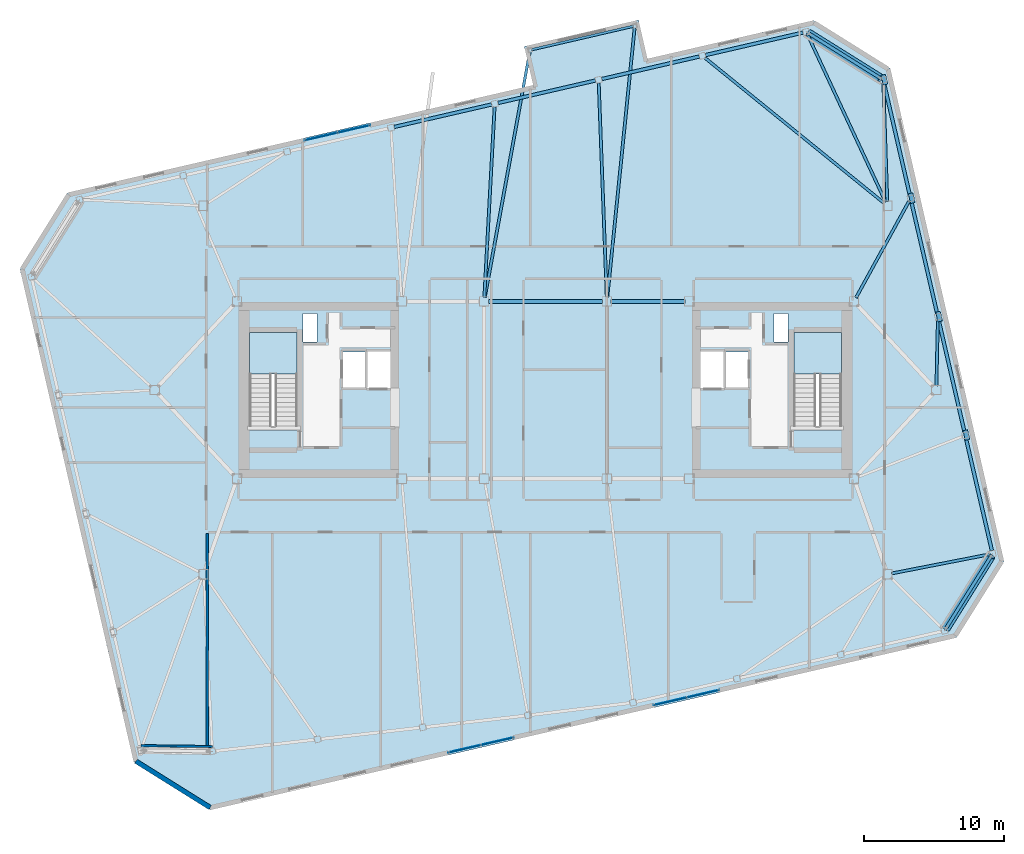
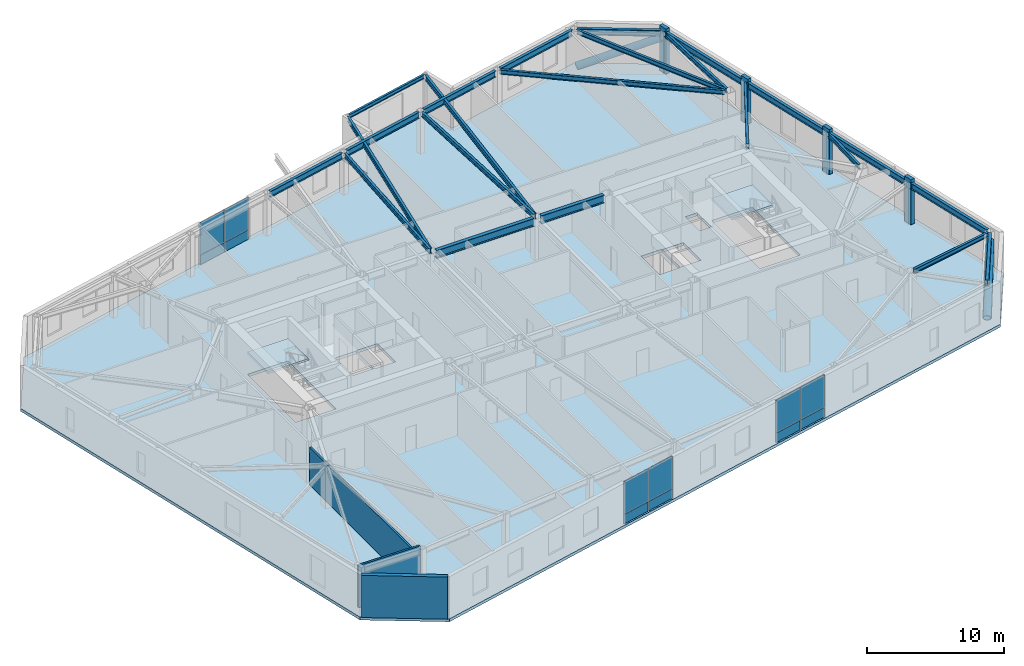
# One storey, part 14 of 22: 23 beams, 12 plates, 6 members, 3 slabs, 3 walls, 5 elements without a shape of their own.
"""IFC4 building model written with IfcOpenShell, lengths in metres."""

import ifcopenshell
import ifcopenshell.guid

model = None  # the IFC model being written
_history = None  # IfcOwnerHistory: only IFC2X3 demands one
_inside = {}  # id of a spatial element -> (the spatial element, [elements in it])
_under = {}  # id of a project, library or spatial element -> (it, [spatial elements below it])
_declared = {}  # id of a project -> (the project, [libraries it declares])
_typed = {}  # id of a type object -> (the type object, [elements of that type])
_made_of = {}  # id of a material, layer set ... -> (it, [elements and type objects made of it])


def new_model(schema):
    """Start an empty IFC model of exactly this schema.

    Asked for "IFC4X3", IfcOpenShell would pick the latest addendum, in which some entities
    have other attributes; the version numbers below select the first issue.
    IFC2X3 requires an IfcOwnerHistory on every rooted entity: one is made here for all.
    """
    global model, _history
    if schema == "IFC4X3":
        model = ifcopenshell.file(schema_version=(4, 3, 0, 0))
    else:
        model = ifcopenshell.file(schema=schema)
    _inside.clear()
    _under.clear()
    _declared.clear()
    _typed.clear()
    _made_of.clear()
    _history = None
    if model.schema == "IFC2X3":
        org = make("IfcOrganization", Name="unknown")
        user = make(
            "IfcPersonAndOrganization",
            ThePerson=make("IfcPerson", FamilyName="unknown"),
            TheOrganization=org,
        )
        app = make(
            "IfcApplication",
            ApplicationDeveloper=org,
            Version="unknown",
            ApplicationFullName="unknown",
            ApplicationIdentifier="unknown",
        )
        _history = make(
            "IfcOwnerHistory",
            OwningUser=user,
            OwningApplication=app,
            ChangeAction="ADDED",
            CreationDate=0,
        )
    return model


def make(cls, **values):
    """One entity of the class cls with the attributes given. An attribute that is None is left unset."""
    return model.create_entity(
        cls, **{name: value for name, value in values.items() if value is not None}
    )


def rooted(cls, **values):
    """An entity with a GlobalId (a new one), such as an element, a storey or a relation."""
    return make(cls, GlobalId=ifcopenshell.guid.new(), OwnerHistory=_history, **values)


def si_unit(unit_type, name, prefix=None):
    """IfcSIUnit, for example si_unit("LENGTHUNIT", "METRE", prefix="MILLI")."""
    return make("IfcSIUnit", UnitType=unit_type, Prefix=prefix, Name=name)


def assignment(units):
    """IfcUnitAssignment: the units of a project."""
    return None if units is None else make("IfcUnitAssignment", Units=units)


def point(xyz):
    """IfcCartesianPoint."""
    return None if xyz is None else make("IfcCartesianPoint", Coordinates=xyz)


def direction(xyz):
    """IfcDirection."""
    return None if xyz is None else make("IfcDirection", DirectionRatios=xyz)


def frame(location, z_axis=None, x_axis=None):
    """IfcAxis2Placement3D, a coordinate frame: its origin and axes. An axis left out is left unset."""
    return make(
        "IfcAxis2Placement3D",
        Location=point(location),
        Axis=direction(z_axis),
        RefDirection=direction(x_axis),
    )


def frame_2d(location, x_axis=None):
    """IfcAxis2Placement2D, a coordinate frame in the plane: its origin and x axis."""
    return make(
        "IfcAxis2Placement2D", Location=point(location), RefDirection=direction(x_axis)
    )


def origin():
    """The frame at (0, 0, 0) with its axes left unset."""
    return frame((0.0, 0.0, 0.0))


def origin_2d():
    """The frame at (0, 0) in the plane with its x axis left unset."""
    return frame_2d((0.0, 0.0))


def place(relative_to, where):
    """IfcLocalPlacement: puts the frame where relative to a parent placement (None: the world)."""
    return make(
        "IfcLocalPlacement", PlacementRelTo=relative_to, RelativePlacement=where
    )


def context(
    kind, dimensions, precision=None, world=None, true_north=None, identifier=None
):
    """IfcGeometricRepresentationContext, for example the 3D "Model" context."""
    return make(
        "IfcGeometricRepresentationContext",
        ContextIdentifier=identifier,
        ContextType=kind,
        CoordinateSpaceDimension=dimensions,
        Precision=precision,
        WorldCoordinateSystem=world,
        TrueNorth=true_north,
    )


def subcontext(parent, identifier, kind, view, scale=None):
    """IfcGeometricRepresentationSubContext, for example "Body" below "Model"."""
    return make(
        "IfcGeometricRepresentationSubContext",
        ContextIdentifier=identifier,
        ContextType=kind,
        ParentContext=parent,
        TargetScale=scale,
        TargetView=view,
    )


def project(units=None, contexts=None):
    """IfcProject with its units and contexts."""
    return rooted(
        "IfcProject",
        Name="project",
        RepresentationContexts=contexts,
        UnitsInContext=assignment(units),
    )


def spatial(cls, under=None, at=None, **own):
    """A site, building, storey or space (cls), placed at a placement, below another one or the project."""
    s = rooted(cls, ObjectPlacement=at, **own)
    if under is not None:
        _under.setdefault(under.id(), (under, []))[1].append(s)
    return s


def polyline(points):
    """IfcPolyline through the points."""
    return make("IfcPolyline", Points=[point(p) for p in points])


def profile(cls, at=None, kind="AREA", **sizes):
    """A parametric profile (cls). Its sizes go by their IFC names, for example OverallWidth=200.0."""
    return make(cls, ProfileType=kind, Position=at, **sizes)


def rectangle(**sizes):
    """IfcRectangleProfileDef."""
    return profile("IfcRectangleProfileDef", **sizes)


def hollow_circle(**sizes):
    """IfcCircleHollowProfileDef."""
    return profile("IfcCircleHollowProfileDef", **sizes)


def i_section(**sizes):
    """IfcIShapeProfileDef."""
    return profile("IfcIShapeProfileDef", **sizes)


def outline(outer, holes=None, kind="AREA"):
    """IfcArbitraryClosedProfileDef: a profile drawn as a closed curve; with holes, ...WithVoids."""
    if holes is None:
        return make("IfcArbitraryClosedProfileDef", ProfileType=kind, OuterCurve=outer)
    return make(
        "IfcArbitraryProfileDefWithVoids",
        ProfileType=kind,
        OuterCurve=outer,
        InnerCurves=holes,
    )


def extrude(swept, where, along, depth):
    """IfcExtrudedAreaSolid: the profile swept, set in the frame where, extruded along a direction by depth."""
    return make(
        "IfcExtrudedAreaSolid",
        SweptArea=swept,
        Position=where,
        ExtrudedDirection=direction(along),
        Depth=depth,
    )


def shape(context_of_items, identifier, shape_type, items):
    """IfcShapeRepresentation: the items that make up one representation, for example the "Body"."""
    return make(
        "IfcShapeRepresentation",
        ContextOfItems=context_of_items,
        RepresentationIdentifier=identifier,
        RepresentationType=shape_type,
        Items=items,
    )


def material(Name=None, Category=None):
    """IfcMaterial."""
    return make("IfcMaterial", Name=Name, Category=Category)


def layer(
    of_material, thickness, ventilated=None, Name=None, Category=None, Priority=None
):
    """IfcMaterialLayer: one layer of a wall or slab, of a material (None: an air gap)."""
    return make(
        "IfcMaterialLayer",
        Material=of_material,
        LayerThickness=thickness,
        IsVentilated=ventilated,
        Name=Name,
        Category=Category,
        Priority=Priority,
    )


def layer_set(layers, Name=None):
    """IfcMaterialLayerSet."""
    return make("IfcMaterialLayerSet", MaterialLayers=layers, LayerSetName=Name)


def material_profile(
    of_material, cross_section, Name=None, Category=None, Priority=None
):
    """IfcMaterialProfile: a cross section and its material."""
    return make(
        "IfcMaterialProfile",
        Name=Name,
        Material=of_material,
        Profile=cross_section,
        Priority=Priority,
        Category=Category,
    )


def profile_set(profiles, Name=None, composite=None):
    """IfcMaterialProfileSet."""
    return make(
        "IfcMaterialProfileSet",
        Name=Name,
        MaterialProfiles=profiles,
        CompositeProfile=composite,
    )


def made_of(thing, what):
    """Note that an element or type object is made of a material, layer set ...; save() writes the relation."""
    if what is not None:
        _made_of.setdefault(what.id(), (what, []))[1].append(thing)
    return thing


def type_object(cls, material=None, **own):
    """A type object (cls), such as IfcWallType, which elements share."""
    return made_of(rooted(cls, **own), material)


def element(
    cls,
    number,
    at=None,
    inside=None,
    cuts=None,
    type_object=None,
    material=None,
    context=None,
    identifier="Body",
    shape_type=None,
    held_by="IfcProductDefinitionShape",
    body=None,
    shapes=None,
    **own,
):
    """One element of the class cls, such as IfcWall. Its Tag is "e" and its number.

    at: its placement. inside: the storey or other place that contains it. cuts: it is an
    opening in that element (IfcRelVoidsElement). A single representation is given by context,
    identifier, shape_type and body (its items); several are given by shapes. held_by: the class
    of the entity that holds the representations. save() writes the other relations.
    """
    e = rooted(cls, Tag="e%d" % number, ObjectPlacement=at, **own)
    if body is not None:
        shapes = [shape(context, identifier, shape_type, body)]
    if shapes is not None:
        e.Representation = make(held_by, Representations=shapes)
    if inside is not None:
        _inside.setdefault(inside.id(), (inside, []))[1].append(e)
    if cuts is not None:
        rooted(
            "IfcRelVoidsElement", RelatingBuildingElement=cuts, RelatedOpeningElement=e
        )
    if type_object is not None:
        _typed.setdefault(type_object.id(), (type_object, []))[1].append(e)
    return made_of(e, material)


def aggregate(whole, parts):
    """IfcRelAggregates: a whole, such as a stair, and the parts it consists of."""
    return rooted("IfcRelAggregates", RelatingObject=whole, RelatedObjects=parts)


def save(model, path):
    """Write the relations noted so far, then the file.

    IfcRelAggregates (storeys below a building ...), IfcRelContainedInSpatialStructure (elements
    in a storey), IfcRelDefinesByType, IfcRelAssociatesMaterial and IfcRelDeclares: one each for
    every whole, place, type object, material and project.
    """
    for whole, parts in _under.values():
        aggregate(whole, parts)
    for where, things in _inside.values():
        rooted(
            "IfcRelContainedInSpatialStructure",
            RelatedElements=things,
            RelatingStructure=where,
        )
    for kind, things in _typed.values():
        rooted("IfcRelDefinesByType", RelatedObjects=things, RelatingType=kind)
    for what, things in _made_of.values():
        rooted("IfcRelAssociatesMaterial", RelatedObjects=things, RelatingMaterial=what)
    for by, libraries in _declared.values():
        rooted("IfcRelDeclares", RelatingContext=by, RelatedDefinitions=libraries)
    model.write(path)


model = new_model("IFC4")

# Units and contexts
model_context = context("Model", 3, precision=1e-05, world=origin(), true_north=direction((0.0, 1.0)))
body_context = subcontext(model_context, "Body", "Model", "MODEL_VIEW")
ifc_project = project(units=[si_unit("LENGTHUNIT", "METRE"), si_unit("AREAUNIT", "SQUARE_METRE"), si_unit("VOLUMEUNIT", "CUBIC_METRE"), si_unit("PLANEANGLEUNIT", "RADIAN"), si_unit("MASSUNIT", "GRAM", prefix="KILO")], contexts=[model_context])

# Site, building, storey
site_placement = place(None, origin())
site = spatial("IfcSite", under=ifc_project, at=site_placement, CompositionType="ELEMENT")
building_placement = place(site_placement, origin())
building = spatial("IfcBuilding", under=site, at=building_placement, Name="Tavrogorsk Clinical Tower", CompositionType="ELEMENT")
storey_placement = place(building_placement, frame((0.0, 0.0, 317.0)))
storey = spatial("IfcBuildingStorey", under=building, at=storey_placement, Name="L74", CompositionType="ELEMENT", Elevation=317.0)

# Members
ifc_material_1 = material(Name="Structural steel S440", Category="steel")
ifc_material_profile_1 = material_profile(ifc_material_1, hollow_circle(Radius=0.304931640625, WallThickness=0.02490234375, at=origin_2d()), Name="CHS-610x25")
ifc_profile_set_1 = profile_set([ifc_material_profile_1], Name="Structural steel S440")
member_type_1 = type_object("IfcMemberType", Name="ExoBrace_CHS610", PredefinedType="BRACE", material=ifc_profile_set_1)
for number, where, z_axis, x_axis, name in (
    (1, (28.70166015625, -17.063720703125, 0.393310546875), (0.485685891885, 0.777193135924, 0.40010004236), (-0.848027637525, 0.529952003481, 0.0), "L74 Corner Exoskeleton Brace S8-E1"),
    (2, (18.86279296875, 25.55322265625, 0.393310546875), (0.777221605895, -0.485643868835, 0.400095748531), (0.529905066536, 0.848056967697, 0.0), "L74 Corner Exoskeleton Brace E5-N1"),
):
    element("IfcMember", number, at=place(storey_placement, frame(where, z_axis=z_axis, x_axis=x_axis)), inside=storey, type_object=member_type_1, Name=name, PredefinedType="BRACE", context=body_context, shape_type="SweptSolid", body=[
        extrude(hollow_circle(Radius=0.304931640625, WallThickness=0.02490234375, at=origin_2d()), origin(), (0.0, 0.0, 1.0), 6.63232421875),
    ])

# Beams
ifc_material_2 = material(Name="Structural steel S355", Category="steel")
ifc_material_profile_2 = material_profile(ifc_material_2, i_section(OverallWidth=0.199951171875, OverallDepth=0.39990234375, WebThickness=0.010498046875, FlangeThickness=0.01611328125, at=origin_2d()), Name="B-400x200x10.5x16")
ifc_profile_set_2 = profile_set([ifc_material_profile_2], Name="Structural steel S355")
beam_type_1 = type_object("IfcBeamType", Name="FloorBeam_B400", PredefinedType="BEAM", material=ifc_profile_set_2)
beam_1_placement = place(storey_placement, frame((24.368896484375, 13.48095703125, 3.5400390625), z_axis=(-0.422928957087, 0.906162842571, 0.0), x_axis=(-0.906162842571, -0.422928957087, 0.0)))
element("IfcBeam", 3, at=beam_1_placement, inside=storey, type_object=beam_type_1, Name="L74 Radial Floor Beam N1", PredefinedType="BEAM", context=body_context, shape_type="SweptSolid", body=[
    extrude(i_section(OverallWidth=0.199951171875, OverallDepth=0.39990234375, WebThickness=0.010498046875, FlangeThickness=0.01611328125, at=origin_2d()), origin(), (0.0, 0.0, 1.0), 13.214111328125),
])
beam_2_placement = place(storey_placement, frame((24.25927734375, 13.395263671875, 3.5400390625), z_axis=(-0.77675399059, 0.629804126774, 0.0), x_axis=(-0.629804126774, -0.77675399059, 0.0)))
element("IfcBeam", 4, at=beam_2_placement, inside=storey, type_object=beam_type_1, Name="L74 Radial Floor Beam N2", PredefinedType="BEAM", context=body_context, shape_type="SweptSolid", body=[
    extrude(i_section(OverallWidth=0.199951171875, OverallDepth=0.39990234375, WebThickness=0.010498046875, FlangeThickness=0.01611328125, at=origin_2d()), origin(), (0.0, 0.0, 1.0), 16.524169921875),
])
beam_3_placement = place(storey_placement, frame((4.388427734375, 6.65966796875, 3.5400390625), z_axis=(-0.037472270853, 0.999297667823, 0.0), x_axis=(-0.999297667823, -0.037472270853, 0.0)))
element("IfcBeam", 5, at=beam_3_placement, inside=storey, type_object=beam_type_1, Name="L74 Radial Floor Beam N3", PredefinedType="BEAM", context=body_context, shape_type="SweptSolid", body=[
    extrude(i_section(OverallWidth=0.199951171875, OverallDepth=0.39990234375, WebThickness=0.010498046875, FlangeThickness=0.01611328125, at=origin_2d()), origin(), (0.0, 0.0, 1.0), 15.349853515625),
])
beam_4_placement = place(storey_placement, frame((-4.38330078125, 6.65966796875, 3.5400390625), z_axis=(0.053993102157, 0.998541308569, 0.0), x_axis=(-0.998541308569, 0.053993102157, 0.0)))
element("IfcBeam", 6, at=beam_4_placement, inside=storey, type_object=beam_type_1, Name="L74 Radial Floor Beam N4", PredefinedType="BEAM", context=body_context, shape_type="SweptSolid", body=[
    extrude(i_section(OverallWidth=0.199951171875, OverallDepth=0.39990234375, WebThickness=0.010498046875, FlangeThickness=0.01611328125, at=origin_2d()), origin(), (0.0, 0.0, 1.0), 13.64208984375),
])
beam_5_placement = place(storey_placement, frame((24.80419921875, -13.140625, 3.5400390625), z_axis=(0.981451198395, 0.191712141424, 0.0), x_axis=(-0.191712141424, 0.981451198395, 0.0)))
element("IfcBeam", 7, at=beam_5_placement, inside=storey, type_object=beam_type_1, Name="L74 Radial Floor Beam E1", PredefinedType="BEAM", context=body_context, shape_type="SweptSolid", body=[
    extrude(i_section(OverallWidth=0.199951171875, OverallDepth=0.39990234375, WebThickness=0.010498046875, FlangeThickness=0.01611328125, at=origin_2d()), origin(), (0.0, 0.0, 1.0), 7.13525390625),
])
beam_6_placement = place(storey_placement, frame((28.0068359375, 0.309814453125, 3.5400390625), z_axis=(0.022370062613, 0.999749758839, 0.0), x_axis=(-0.999749758839, 0.022370062613, 0.0)))
element("IfcBeam", 8, at=beam_6_placement, inside=storey, type_object=beam_type_1, Name="L74 Radial Floor Beam E3", PredefinedType="BEAM", context=body_context, shape_type="SweptSolid", body=[
    extrude(i_section(OverallWidth=0.199951171875, OverallDepth=0.39990234375, WebThickness=0.010498046875, FlangeThickness=0.01611328125, at=origin_2d()), origin(), (0.0, 0.0, 1.0), 4.703857421875),
])
beam_7_placement = place(storey_placement, frame((22.249267578125, 6.62158203125, 3.5400390625), z_axis=(0.481705874182, 0.876332956574, 0.0), x_axis=(-0.876332956574, 0.481705874182, 0.0)))
element("IfcBeam", 9, at=beam_7_placement, inside=storey, type_object=beam_type_1, Name="L74 Radial Floor Beam E4", PredefinedType="BEAM", context=body_context, shape_type="SweptSolid", body=[
    extrude(i_section(OverallWidth=0.199951171875, OverallDepth=0.39990234375, WebThickness=0.010498046875, FlangeThickness=0.01611328125, at=origin_2d()), origin(), (0.0, 0.0, 1.0), 7.881103515625),
])
beam_8_placement = place(storey_placement, frame((24.48974609375, 13.509765625, 3.5400390625), z_axis=(-0.033421222185, 0.999441354912, 0.0), x_axis=(-0.999441354912, -0.033421222185, 0.0)))
element("IfcBeam", 10, at=beam_8_placement, inside=storey, type_object=beam_type_1, Name="L74 Radial Floor Beam E5", PredefinedType="BEAM", context=body_context, shape_type="SweptSolid", body=[
    extrude(i_section(OverallWidth=0.199951171875, OverallDepth=0.39990234375, WebThickness=0.010498046875, FlangeThickness=0.01611328125, at=origin_2d()), origin(), (0.0, 0.0, 1.0), 8.48095703125),
])
ifc_material_3 = material(Name="Structural steel S355", Category="steel")
ifc_material_profile_3 = material_profile(ifc_material_3, i_section(OverallWidth=0.199951171875, OverallDepth=0.449951171875, WebThickness=0.011474609375, FlangeThickness=0.01806640625, at=origin_2d()), Name="B-450x200x11.5x18")
ifc_profile_set_3 = profile_set([ifc_material_profile_3], Name="Structural steel S355")
beam_type_2 = type_object("IfcBeamType", Name="FloorBeam_B450", PredefinedType="BEAM", material=ifc_profile_set_3)
beam_9_placement = place(storey_placement, frame((-4.34423828125, 6.655029296875, 3.514892578125), z_axis=(0.180106145967, 0.983647180744, 0.0), x_axis=(-0.983647180744, 0.180106145967, 0.0)))
element("IfcBeam", 11, at=beam_9_placement, inside=storey, type_object=beam_type_2, Name="L74 Day-Room Cantilever Beam DRB-10-L", PredefinedType="BEAM", context=body_context, shape_type="SweptSolid", body=[
    extrude(i_section(OverallWidth=0.199951171875, OverallDepth=0.449951171875, WebThickness=0.011474609375, FlangeThickness=0.01806640625, at=origin_2d()), origin(), (0.0, 0.0, 1.0), 17.86181640625),
])
beam_10_placement = place(storey_placement, frame((4.43115234375, 6.658447265625, 3.514892578125), z_axis=(0.10081222061, 0.994905470975, 0.0), x_axis=(-0.994905470975, 0.10081222061, 0.0)))
element("IfcBeam", 12, at=beam_10_placement, inside=storey, type_object=beam_type_2, Name="L74 Day-Room Cantilever Beam DRB-10-R", PredefinedType="BEAM", context=body_context, shape_type="SweptSolid", body=[
    extrude(i_section(OverallWidth=0.199951171875, OverallDepth=0.449951171875, WebThickness=0.011474609375, FlangeThickness=0.01806640625, at=origin_2d()), origin(), (0.0, 0.0, 1.0), 19.395751953125),
])

# Members
ifc_material_4 = material(Name="Precast concrete B45 with limestone cladding", Category="masonry")
ifc_material_profile_4 = material_profile(ifc_material_4, rectangle(XDim=0.320068359375, YDim=0.719970703125, at=origin_2d()), Name="LIMESTONE-FIN-320x720")
ifc_profile_set_4 = profile_set([ifc_material_profile_4], Name="Precast concrete B45 with limestone cladding")
member_type_2 = type_object("IfcMemberType", Name="LimestonePleatFin_320x720", PredefinedType="USERDEFINED", material=ifc_profile_set_4)
for number, where, z_axis, x_axis, name in (
    (13, (30.154541015625, -3.223388671875, 0.0), (0.0, 0.0, 1.0), (0.974370064785, 0.224951054344, 0.0), "L74 E Pleated Stone Fin 1"),
    (14, (28.1953125, 5.263427734375, 0.0), (0.0, 0.0, 1.0), (0.974370064785, 0.224951054344, 0.0), "L74 E Pleated Stone Fin 2"),
    (15, (26.23583984375, 13.750244140625, 0.0), (0.0, 0.0, 1.0), (0.974370064785, 0.224951054344, 0.0), "L74 E Pleated Stone Fin 3"),
    (16, (24.276611328125, 22.237060546875, 0.0), (0.0, 0.0, 1.0), (0.974370064785, 0.224951054344, 0.0), "L74 E Pleated Stone Fin 4"),
):
    element("IfcMember", number, at=place(storey_placement, frame(where, z_axis=z_axis, x_axis=x_axis)), inside=storey, type_object=member_type_2, Name=name, ObjectType="FIN", PredefinedType="USERDEFINED", context=body_context, shape_type="SweptSolid", body=[
        extrude(rectangle(XDim=0.320068359375, YDim=0.719970703125, at=origin_2d()), origin(), (0.0, 0.0, 1.0), 4.0),
    ])

# Beams
ifc_material_5 = material(Name="Structural steel S390", Category="steel")
ifc_material_profile_5 = material_profile(ifc_material_5, i_section(OverallWidth=0.300048828125, OverallDepth=0.699951171875, WebThickness=0.01708984375, FlangeThickness=0.028076171875, at=origin_2d()), Name="B-700x300x17x28")
ifc_profile_set_5 = profile_set([ifc_material_profile_5], Name="Structural steel S390")
beam_type_3 = type_object("IfcBeamType", Name="PrimaryGirder_B700", PredefinedType="USERDEFINED", material=ifc_profile_set_5)
beam_11_placement = place(storey_placement, frame((-4.090087890625, 6.35009765625, 3.389892578125), z_axis=(1.0, 0.0, 0.0), x_axis=(0.0, 1.0, 0.0)))
element("IfcBeam", 17, at=beam_11_placement, inside=storey, type_object=beam_type_3, Name="L74 Primary Spine Girder MG-04", ObjectType="GIRDER", PredefinedType="USERDEFINED", context=body_context, shape_type="SweptSolid", body=[
    extrude(i_section(OverallWidth=0.300048828125, OverallDepth=0.699951171875, WebThickness=0.01708984375, FlangeThickness=0.028076171875, at=origin_2d()), origin(), (0.0, 0.0, 1.0), 8.18017578125),
])
beam_12_placement = place(storey_placement, frame((4.7099609375, 6.35009765625, 3.389892578125), z_axis=(1.0, 0.0, 0.0), x_axis=(0.0, 1.0, 0.0)))
element("IfcBeam", 18, at=beam_12_placement, inside=storey, type_object=beam_type_3, Name="L74 Primary Spine Girder MG-06", ObjectType="GIRDER", PredefinedType="USERDEFINED", context=body_context, shape_type="SweptSolid", body=[
    extrude(i_section(OverallWidth=0.300048828125, OverallDepth=0.699951171875, WebThickness=0.01708984375, FlangeThickness=0.028076171875, at=origin_2d()), origin(), (0.0, 0.0, 1.0), 5.280029296875),
])
ifc_material_6 = material(Name="Structural steel S355", Category="steel")
ifc_material_profile_6 = material_profile(ifc_material_6, i_section(OverallWidth=0.175048828125, OverallDepth=0.35009765625, WebThickness=0.009521484375, FlangeThickness=0.013916015625, at=origin_2d()), Name="B-350x175x9.5x14")
ifc_profile_set_6 = profile_set([ifc_material_profile_6], Name="Structural steel S355")
beam_type_4 = type_object("IfcBeamType", Name="SecondaryJoist_B350", PredefinedType="JOIST", material=ifc_profile_set_6)
beam_13_placement = place(storey_placement, frame((-0.985107421875, 24.389404296875, 3.56494140625), z_axis=(0.974367472721, 0.224962281513, 0.0), x_axis=(-0.224962281513, 0.974367472721, 0.0)))
element("IfcBeam", 19, at=beam_13_placement, inside=storey, type_object=beam_type_4, Name="L74 Day-Room Front Edge Beam DRB-10", PredefinedType="JOIST", context=body_context, shape_type="SweptSolid", body=[
    extrude(i_section(OverallWidth=0.175048828125, OverallDepth=0.35009765625, WebThickness=0.009521484375, FlangeThickness=0.013916015625, at=origin_2d()), origin(), (0.0, 0.0, 1.0), 7.4599609375),
])
ifc_material_7 = material(Name="Structural steel S390", Category="steel")
ifc_material_profile_7 = material_profile(ifc_material_7, i_section(OverallWidth=0.239990234375, OverallDepth=0.550048828125, WebThickness=0.013916015625, FlangeThickness=0.02197265625, at=origin_2d()), Name="B-550x240x14x22")
ifc_profile_set_7 = profile_set([ifc_material_profile_7], Name="Structural steel S390")
beam_type_5 = type_object("IfcBeamType", Name="SpandrelBeam_B550", PredefinedType="SPANDREL", material=ifc_profile_set_7)
beam_14_placement = place(storey_placement, frame((28.712158203125, -17.04736328125, 3.465087890625), z_axis=(0.529904457892, 0.848057348006, 0.0), x_axis=(-0.848057348006, 0.529904457892, 0.0)))
element("IfcBeam", 20, at=beam_14_placement, inside=storey, type_object=beam_type_5, Name="L74 Perimeter Spandrel S8-E1", PredefinedType="SPANDREL", context=body_context, shape_type="SweptSolid", body=[
    extrude(i_section(OverallWidth=0.239990234375, OverallDepth=0.550048828125, WebThickness=0.013916015625, FlangeThickness=0.02197265625, at=origin_2d()), origin(), (0.0, 0.0, 1.0), 6.039306640625),
])
for number, where, z_axis, x_axis, name in (
    (21, (31.9833984375, -11.5009765625, 3.465087890625), (-0.224950345141, 0.974370228517, 0.0), (-0.974370228517, -0.224950345141, 0.0), "L74 Perimeter Spandrel E1-E2"),
    (22, (30.024169921875, -3.01416015625, 3.465087890625), (-0.224950345141, 0.974370228517, 0.0), (-0.974370228517, -0.224950345141, 0.0), "L74 Perimeter Spandrel E2-E3"),
):
    element("IfcBeam", number, at=place(storey_placement, frame(where, z_axis=z_axis, x_axis=x_axis)), inside=storey, type_object=beam_type_5, Name=name, PredefinedType="SPANDREL", context=body_context, shape_type="SweptSolid", body=[
        extrude(i_section(OverallWidth=0.239990234375, OverallDepth=0.550048828125, WebThickness=0.013916015625, FlangeThickness=0.02197265625, at=origin_2d()), origin(), (0.0, 0.0, 1.0), 8.243896484375),
    ])
beam_15_placement = place(storey_placement, frame((28.06494140625, 5.472412109375, 3.465087890625), z_axis=(-0.224978460613, 0.974363737144, 0.0), x_axis=(-0.974363737144, -0.224978460613, 0.0)))
element("IfcBeam", 23, at=beam_15_placement, inside=storey, type_object=beam_type_5, Name="L74 Perimeter Spandrel E3-E4", PredefinedType="SPANDREL", context=body_context, shape_type="SweptSolid", body=[
    extrude(i_section(OverallWidth=0.239990234375, OverallDepth=0.550048828125, WebThickness=0.013916015625, FlangeThickness=0.02197265625, at=origin_2d()), origin(), (0.0, 0.0, 1.0), 8.244140625),
])
beam_16_placement = place(storey_placement, frame((26.10546875, 13.959228515625, 3.465087890625), z_axis=(-0.224950345141, 0.974370228517, 0.0), x_axis=(-0.974370228517, -0.224950345141, 0.0)))
element("IfcBeam", 24, at=beam_16_placement, inside=storey, type_object=beam_type_5, Name="L74 Perimeter Spandrel E4-E5", PredefinedType="SPANDREL", context=body_context, shape_type="SweptSolid", body=[
    extrude(i_section(OverallWidth=0.239990234375, OverallDepth=0.550048828125, WebThickness=0.013916015625, FlangeThickness=0.02197265625, at=origin_2d()), origin(), (0.0, 0.0, 1.0), 8.243896484375),
])
beam_17_placement = place(storey_placement, frame((24.0009765625, 22.342529296875, 3.465087890625), z_axis=(-0.848057348006, 0.529904457892, 0.0), x_axis=(-0.529904457892, -0.848057348006, 0.0)))
element("IfcBeam", 25, at=beam_17_placement, inside=storey, type_object=beam_type_5, Name="L74 Perimeter Spandrel E5-N1", PredefinedType="SPANDREL", context=body_context, shape_type="SweptSolid", body=[
    extrude(i_section(OverallWidth=0.239990234375, OverallDepth=0.550048828125, WebThickness=0.013916015625, FlangeThickness=0.02197265625, at=origin_2d()), origin(), (0.0, 0.0, 1.0), 6.039306640625),
])
beam_18_placement = place(storey_placement, frame((18.45458984375, 25.61376953125, 3.465087890625), z_axis=(-0.974375120167, -0.224929155956, 0.0), x_axis=(0.224929155956, -0.974375120167, 0.0)))
element("IfcBeam", 26, at=beam_18_placement, inside=storey, type_object=beam_type_5, Name="L74 Perimeter Spandrel N1-N2", PredefinedType="SPANDREL", context=body_context, shape_type="SweptSolid", body=[
    extrude(i_section(OverallWidth=0.239990234375, OverallDepth=0.550048828125, WebThickness=0.013916015625, FlangeThickness=0.02197265625, at=origin_2d()), origin(), (0.0, 0.0, 1.0), 7.16796875),
])
for number, where, z_axis, x_axis, name in (
    (27, (11.01611328125, 23.896484375, 3.465087890625), (-0.974369378592, -0.224954026551, 0.0), (0.224954026551, -0.974369378592, 0.0), "L74 Perimeter Spandrel N2-N3"),
    (28, (3.577392578125, 22.17919921875, 3.465087890625), (-0.974369378592, -0.224954026551, 0.0), (0.224954026551, -0.974369378592, 0.0), "L74 Perimeter Spandrel N3-N4"),
):
    element("IfcBeam", number, at=place(storey_placement, frame(where, z_axis=z_axis, x_axis=x_axis)), inside=storey, type_object=beam_type_5, Name=name, PredefinedType="SPANDREL", context=body_context, shape_type="SweptSolid", body=[
        extrude(i_section(OverallWidth=0.239990234375, OverallDepth=0.550048828125, WebThickness=0.013916015625, FlangeThickness=0.02197265625, at=origin_2d()), origin(), (0.0, 0.0, 1.0), 7.16845703125),
    ])
beam_19_placement = place(storey_placement, frame((-3.861328125, 20.4619140625, 3.465087890625), z_axis=(-0.974367655018, -0.224961491939, 0.0), x_axis=(0.224961491939, -0.974367655018, 0.0)))
element("IfcBeam", 29, at=beam_19_placement, inside=storey, type_object=beam_type_5, Name="L74 Perimeter Spandrel N4-N5", PredefinedType="SPANDREL", context=body_context, shape_type="SweptSolid", body=[
    extrude(i_section(OverallWidth=0.239990234375, OverallDepth=0.550048828125, WebThickness=0.013916015625, FlangeThickness=0.02197265625, at=origin_2d()), origin(), (0.0, 0.0, 1.0), 7.168212890625),
])

# Curtain wall, plates
ifc_material_8 = material(Name="Anodised aluminium and triple IGU glazing", Category="aluminium")
ifc_layer_1 = layer(ifc_material_8, 0.179931640625)
ifc_layer_set_1 = layer_set([ifc_layer_1], Name="Anodised aluminium and triple IGU glazing")
curtain_wall_type_1 = type_object("IfcCurtainWallType", Name="CW3_SouthSlot", PredefinedType="NOTDEFINED", material=ifc_layer_set_1)
curtain_wall_1_placement = place(storey_placement, origin())
curtain_wall_1 = element("IfcCurtainWall", 30, at=curtain_wall_1_placement, inside=storey, type_object=curtain_wall_type_1, Name="L74 Curtain Wall CW-L74-S-SLOT-1", PredefinedType="NOTDEFINED")
ifc_material_9 = material(Name="Honed Podolsk limestone spandrel panel", Category="masonry")
ifc_layer_2 = layer(ifc_material_9, 0.080078125)
ifc_layer_set_2 = layer_set([ifc_layer_2], Name="Honed Podolsk limestone spandrel panel")
plate_type_1 = type_object("IfcPlateType", Name="CwSpandrelStonePanel_80", PredefinedType="CURTAIN_PANEL", material=ifc_layer_set_2)
plate_1_placement = place(storey_placement, frame((-5.810546875, -25.7099609375, 0.001953125), z_axis=(0.0, 0.0, 1.0), x_axis=(0.974370057377, 0.224951086434, 0.0)))
plate_1 = element("IfcPlate", 31, at=plate_1_placement, type_object=plate_type_1, Name="CW-L74-S-SLOT-1 Stone Spandrel Panel 1", PredefinedType="CURTAIN_PANEL", context=body_context, shape_type="SweptSolid", body=[
    extrude(rectangle(XDim=2.39208984375, YDim=0.080078125, at=origin_2d()), origin(), (0.0, 0.0, 1.0), 0.8359375),
])
plate_2_placement = place(storey_placement, frame((-3.45654296875, -25.16650390625, 0.001953125), z_axis=(0.0, 0.0, 1.0), x_axis=(0.974370057377, 0.224951086434, 0.0)))
plate_2 = element("IfcPlate", 32, at=plate_2_placement, type_object=plate_type_1, Name="CW-L74-S-SLOT-1 Stone Spandrel Panel 2", PredefinedType="CURTAIN_PANEL", context=body_context, shape_type="SweptSolid", body=[
    extrude(rectangle(XDim=2.39208984375, YDim=0.080078125, at=origin_2d()), origin(), (0.0, 0.0, 1.0), 0.8359375),
])

curtain_wall_2_placement = place(storey_placement, origin())
curtain_wall_2 = element("IfcCurtainWall", 33, at=curtain_wall_2_placement, inside=storey, type_object=curtain_wall_type_1, Name="L74 Curtain Wall CW-L74-S-SLOT-2", PredefinedType="NOTDEFINED")
plate_3_placement = place(storey_placement, frame((8.9296875, -22.306884765625, 0.001953125), z_axis=(0.0, 0.0, 1.0), x_axis=(0.974370057377, 0.224951086434, 0.0)))
plate_3 = element("IfcPlate", 34, at=plate_3_placement, type_object=plate_type_1, Name="CW-L74-S-SLOT-2 Stone Spandrel Panel 1", PredefinedType="CURTAIN_PANEL", context=body_context, shape_type="SweptSolid", body=[
    extrude(rectangle(XDim=2.39208984375, YDim=0.080078125, at=origin_2d()), origin(), (0.0, 0.0, 1.0), 0.8359375),
])
plate_4_placement = place(storey_placement, frame((11.28369140625, -21.763427734375, 0.001953125), z_axis=(0.0, 0.0, 1.0), x_axis=(0.974370057377, 0.224951086434, 0.0)))
plate_4 = element("IfcPlate", 35, at=plate_4_placement, type_object=plate_type_1, Name="CW-L74-S-SLOT-2 Stone Spandrel Panel 2", PredefinedType="CURTAIN_PANEL", context=body_context, shape_type="SweptSolid", body=[
    extrude(rectangle(XDim=2.39208984375, YDim=0.080078125, at=origin_2d()), origin(), (0.0, 0.0, 1.0), 0.8359375),
])

ifc_material_10 = material(Name="Anodised aluminium and triple IGU glazing", Category="aluminium")
ifc_layer_3 = layer(ifc_material_10, 0.179931640625)
ifc_layer_set_3 = layer_set([ifc_layer_3], Name="Anodised aluminium and triple IGU glazing")
curtain_wall_type_2 = type_object("IfcCurtainWallType", Name="CW2_NorthSlot", PredefinedType="NOTDEFINED", material=ifc_layer_set_3)
curtain_wall_3_placement = place(storey_placement, origin())
curtain_wall_3 = element("IfcCurtainWall", 36, at=curtain_wall_3_placement, inside=storey, type_object=curtain_wall_type_2, Name="L74 Curtain Wall CW-L74-N-SLOT-1", PredefinedType="NOTDEFINED")
plate_5_placement = place(storey_placement, frame((-13.729736328125, 18.70703125, 0.001953125), z_axis=(0.0, 0.0, 1.0), x_axis=(-0.974370057377, -0.224951086434, 0.0)))
plate_5 = element("IfcPlate", 37, at=plate_5_placement, type_object=plate_type_1, Name="CW-L74-N-SLOT-1 Stone Spandrel Panel 1", PredefinedType="CURTAIN_PANEL", context=body_context, shape_type="SweptSolid", body=[
    extrude(rectangle(XDim=2.39208984375, YDim=0.080078125, at=origin_2d()), origin(), (0.0, 0.0, 1.0), 0.8359375),
])
plate_6_placement = place(storey_placement, frame((-16.083740234375, 18.16357421875, 0.001953125), z_axis=(0.0, 0.0, 1.0), x_axis=(-0.974370057377, -0.224951086434, 0.0)))
plate_6 = element("IfcPlate", 38, at=plate_6_placement, type_object=plate_type_1, Name="CW-L74-N-SLOT-1 Stone Spandrel Panel 2", PredefinedType="CURTAIN_PANEL", context=body_context, shape_type="SweptSolid", body=[
    extrude(rectangle(XDim=2.39208984375, YDim=0.080078125, at=origin_2d()), origin(), (0.0, 0.0, 1.0), 0.8359375),
])

# Plate
ifc_material_11 = material(Name="Triple low-E argon insulated glass", Category="glass")
ifc_layer_4 = layer(ifc_material_11, 0.048095703125)
ifc_layer_set_4 = layer_set([ifc_layer_4], Name="Triple low-E argon insulated glass")
plate_type_2 = type_object("IfcPlateType", Name="CwVisionGlassPanel_48", PredefinedType="CURTAIN_PANEL", material=ifc_layer_set_4)
plate_7_placement = place(storey_placement, frame((-5.810546875, -25.7099609375, 0.862060546875), z_axis=(0.0, 0.0, 1.0), x_axis=(0.974370057377, 0.224951086434, 0.0)))
plate_7 = element("IfcPlate", 39, at=plate_7_placement, type_object=plate_type_2, Name="CW-L74-S-SLOT-1 Glazing Panel 1", PredefinedType="CURTAIN_PANEL", context=body_context, shape_type="SweptSolid", body=[
    extrude(rectangle(XDim=2.39208984375, YDim=0.048095703125, at=origin_2d()), origin(), (0.0, 0.0, 1.0), 2.8759765625),
])

plate_8_placement = place(storey_placement, frame((-3.45654296875, -25.16650390625, 0.862060546875), z_axis=(0.0, 0.0, 1.0), x_axis=(0.974370057377, 0.224951086434, 0.0)))
plate_8 = element("IfcPlate", 40, at=plate_8_placement, type_object=plate_type_2, Name="CW-L74-S-SLOT-1 Glazing Panel 2", PredefinedType="CURTAIN_PANEL", context=body_context, shape_type="SweptSolid", body=[
    extrude(rectangle(XDim=2.39208984375, YDim=0.048095703125, at=origin_2d()), origin(), (0.0, 0.0, 1.0), 2.8759765625),
])

aggregate(curtain_wall_1, [plate_1, plate_7, plate_2, plate_8])

plate_9_placement = place(storey_placement, frame((8.9296875, -22.306884765625, 0.862060546875), z_axis=(0.0, 0.0, 1.0), x_axis=(0.974370057377, 0.224951086434, 0.0)))
plate_9 = element("IfcPlate", 41, at=plate_9_placement, type_object=plate_type_2, Name="CW-L74-S-SLOT-2 Glazing Panel 1", PredefinedType="CURTAIN_PANEL", context=body_context, shape_type="SweptSolid", body=[
    extrude(rectangle(XDim=2.39208984375, YDim=0.048095703125, at=origin_2d()), origin(), (0.0, 0.0, 1.0), 2.8759765625),
])

plate_10_placement = place(storey_placement, frame((11.28369140625, -21.763427734375, 0.862060546875), z_axis=(0.0, 0.0, 1.0), x_axis=(0.974370057377, 0.224951086434, 0.0)))
plate_10 = element("IfcPlate", 42, at=plate_10_placement, type_object=plate_type_2, Name="CW-L74-S-SLOT-2 Glazing Panel 2", PredefinedType="CURTAIN_PANEL", context=body_context, shape_type="SweptSolid", body=[
    extrude(rectangle(XDim=2.39208984375, YDim=0.048095703125, at=origin_2d()), origin(), (0.0, 0.0, 1.0), 2.8759765625),
])

aggregate(curtain_wall_2, [plate_3, plate_9, plate_4, plate_10])

plate_11_placement = place(storey_placement, frame((-13.729736328125, 18.70703125, 0.862060546875), z_axis=(0.0, 0.0, 1.0), x_axis=(-0.974370057377, -0.224951086434, 0.0)))
plate_11 = element("IfcPlate", 43, at=plate_11_placement, type_object=plate_type_2, Name="CW-L74-N-SLOT-1 Glazing Panel 1", PredefinedType="CURTAIN_PANEL", context=body_context, shape_type="SweptSolid", body=[
    extrude(rectangle(XDim=2.39208984375, YDim=0.048095703125, at=origin_2d()), origin(), (0.0, 0.0, 1.0), 2.8759765625),
])

plate_12_placement = place(storey_placement, frame((-16.083740234375, 18.16357421875, 0.862060546875), z_axis=(0.0, 0.0, 1.0), x_axis=(-0.974370057377, -0.224951086434, 0.0)))
plate_12 = element("IfcPlate", 44, at=plate_12_placement, type_object=plate_type_2, Name="CW-L74-N-SLOT-1 Glazing Panel 2", PredefinedType="CURTAIN_PANEL", context=body_context, shape_type="SweptSolid", body=[
    extrude(rectangle(XDim=2.39208984375, YDim=0.048095703125, at=origin_2d()), origin(), (0.0, 0.0, 1.0), 2.8759765625),
])

aggregate(curtain_wall_3, [plate_5, plate_11, plate_6, plate_12])

# Stair, slab
ifc_material_12 = material(Name="Concrete B60", Category="concrete")
stair_type = type_object("IfcStairType", Name="CoreStairAssembly", PredefinedType="HALF_TURN_STAIR", material=ifc_material_12)
stair_1_placement = place(storey_placement, origin())
stair_1 = element("IfcStair", 45, at=stair_1_placement, inside=storey, type_object=stair_type, Name="L74 ST-W", PredefinedType="HALF_TURN_STAIR")
ifc_material_13 = material(Name="Concrete B60", Category="concrete")
ifc_layer_5 = layer(ifc_material_13, 0.199951171875)
ifc_layer_set_5 = layer_set([ifc_layer_5], Name="Concrete B60")
slab_type_1 = type_object("IfcSlabType", Name="StairLanding_200", PredefinedType="LANDING", material=ifc_layer_set_5)
slab_1_placement = place(storey_placement, frame((0.0, 0.0, 1.800048828125)))
slab_1 = element("IfcSlab", 46, at=slab_1_placement, type_object=slab_type_1, Name="ST-W landing 1", PredefinedType="LANDING", context=body_context, shape_type="SweptSolid", body=[
    extrude(outline(polyline([(-17.800048828125, 1.1650390625), (-17.800048828125, 4.125), (-21.199951171875, 4.125), (-21.199951171875, 1.1650390625), (-17.800048828125, 1.1650390625)])), origin(), (0.0, 0.0, 1.0), 0.199951171875),
])
aggregate(stair_1, [slab_1])

stair_2_placement = place(storey_placement, origin())
stair_2 = element("IfcStair", 47, at=stair_2_placement, inside=storey, type_object=stair_type, Name="L74 ST-E", PredefinedType="HALF_TURN_STAIR")
slab_2_placement = place(storey_placement, frame((0.0, 0.0, 1.800048828125)))
slab_2 = element("IfcSlab", 48, at=slab_2_placement, type_object=slab_type_1, Name="ST-E landing 1", PredefinedType="LANDING", context=body_context, shape_type="SweptSolid", body=[
    extrude(outline(polyline([(21.199951171875, 1.1650390625), (21.199951171875, 4.125), (17.800048828125, 4.125), (17.800048828125, 1.1650390625), (21.199951171875, 1.1650390625)])), origin(), (0.0, 0.0, 1.0), 0.199951171875),
])
aggregate(stair_2, [slab_2])

# Slab
ifc_material_14 = material(Name="Concrete B60", Category="concrete")
ifc_layer_6 = layer(ifc_material_14, 0.260009765625)
ifc_layer_set_6 = layer_set([ifc_layer_6], Name="Concrete B60")
slab_type_2 = type_object("IfcSlabType", Name="WardSlab_260", PredefinedType="FLOOR", material=ifc_layer_set_6)
slab_3_placement = place(storey_placement, frame((0.0, 0.0, -0.260009765625)))
element("IfcSlab", 49, at=slab_3_placement, inside=storey, type_object=slab_type_2, Name="L74 Structural Slab", PredefinedType="FLOOR", context=body_context, shape_type="SweptSolid", body=[
    extrude(outline(polyline([(19.19140625, 26.48193359375), (24.708251953125, 23.034423828125), (32.8515625, -12.23779296875), (29.404052734375, -17.75439453125), (-23.991455078125, -30.081787109375), (-29.50830078125, -26.634521484375), (-37.651611328125, 8.6376953125), (-34.2041015625, 14.154541015625), (-0.880615234375, 21.847900390625), (-1.521728515625, 24.624755859375), (6.662841796875, 26.514404296875), (7.303955078125, 23.737548828125), (19.19140625, 26.48193359375)]), holes=[polyline([(-17.800048828125, -2.8798828125), (-17.800048828125, 4.125), (-21.199951171875, 4.125), (-21.199951171875, -2.8798828125), (-17.800048828125, -2.8798828125)]), polyline([(21.199951171875, -2.8798828125), (21.199951171875, 4.125), (17.800048828125, 4.125), (17.800048828125, -2.8798828125), (21.199951171875, -2.8798828125)]), polyline([(-14.6201171875, 0.169921875), (-12.860107421875, 0.169921875), (-12.860107421875, 2.72998046875), (-14.6201171875, 2.72998046875), (-14.6201171875, 0.169921875)]), polyline([(-12.840087890625, 0.1201171875), (-11.080078125, 0.1201171875), (-11.080078125, 2.780029296875), (-12.840087890625, 2.780029296875), (-12.840087890625, 0.1201171875)]), polyline([(12.860107421875, 0.169921875), (14.6201171875, 0.169921875), (14.6201171875, 2.72998046875), (12.860107421875, 2.72998046875), (12.860107421875, 0.169921875)]), polyline([(11.080078125, 0.1201171875), (12.840087890625, 0.1201171875), (12.840087890625, 2.780029296875), (11.080078125, 2.780029296875), (11.080078125, 0.1201171875)]), polyline([(-17.3798828125, 3.449951171875), (-16.3798828125, 3.449951171875), (-16.3798828125, 5.5), (-17.3798828125, 5.5), (-17.3798828125, 3.449951171875)]), polyline([(16.3798828125, 3.449951171875), (17.3798828125, 3.449951171875), (17.3798828125, 5.5), (16.3798828125, 5.5), (16.3798828125, 3.449951171875)])]), origin(), (0.0, 0.0, 1.0), 0.260009765625),
])

# Walls
ifc_material_15 = material(Name="Lightweight concrete blockwork B15", Category="masonry")
ifc_layer_7 = layer(ifc_material_15, 0.159912109375)
ifc_layer_set_7 = layer_set([ifc_layer_7], Name="Lightweight concrete blockwork B15")
wall_type_1 = type_object("IfcWallType", Name="PartitionWall_160", PredefinedType="PARTITIONING", material=ifc_layer_set_7)
wall_1_placement = place(storey_placement, frame((-28.994140625, -25.47900390625, 0.0), z_axis=(0.0, 0.0, 1.0), x_axis=(0.999915052546, -0.01303409726, 0.0)))
element("IfcWall", 50, at=wall_1_placement, inside=storey, type_object=wall_type_1, Name="L74 Corner Exoskeleton Brace Furring Wall 4", PredefinedType="PARTITIONING", context=body_context, shape_type="SweptSolid", body=[
    extrude(rectangle(XDim=5.13232421875, YDim=0.159912109375, at=frame_2d((2.566162109375, 0.0))), origin(), (0.0, 0.0, 1.0), 3.739990234375),
])
wall_2_placement = place(storey_placement, frame((-24.22998046875, -25.535888671875, 0.0), z_axis=(0.0, 0.0, 1.0), x_axis=(0.0, 1.0, 0.0)))
element("IfcWall", 51, at=wall_2_placement, inside=storey, type_object=wall_type_1, Name="L74 SW Wing Closure Partition", PredefinedType="PARTITIONING", context=body_context, shape_type="SweptSolid", body=[
    extrude(rectangle(XDim=15.27099609375, YDim=0.159912109375, at=frame_2d((7.635498046875, 0.0))), origin(), (0.0, 0.0, 1.0), 3.3349609375),
])
ifc_material_16 = material(Name="Precast concrete B45 with limestone cladding", Category="masonry")
ifc_layer_8 = layer(ifc_material_16, 0.340087890625)
ifc_layer_set_8 = layer_set([ifc_layer_8], Name="Precast concrete B45 with limestone cladding")
wall_type_2 = type_object("IfcWallType", Name="PrecastLimestoneWall_340", PredefinedType="STANDARD", material=ifc_layer_set_8)
wall_3_placement = place(storey_placement, frame((-29.342529296875, -26.59619140625, 0.0), z_axis=(0.0, 0.0, 1.0), x_axis=(0.848037708252, -0.529935887993, 0.0)))
element("IfcWall", 52, at=wall_3_placement, inside=storey, type_object=wall_type_2, Name="L74 Chamfered Corner Wall 4", PredefinedType="STANDARD", context=body_context, shape_type="SweptSolid", body=[
    extrude(rectangle(XDim=6.26513671875, YDim=0.340087890625, at=frame_2d((3.132568359375, 0.0))), origin(), (0.0, 0.0, 1.0), 3.739990234375),
])

save(model, "model.ifc")
